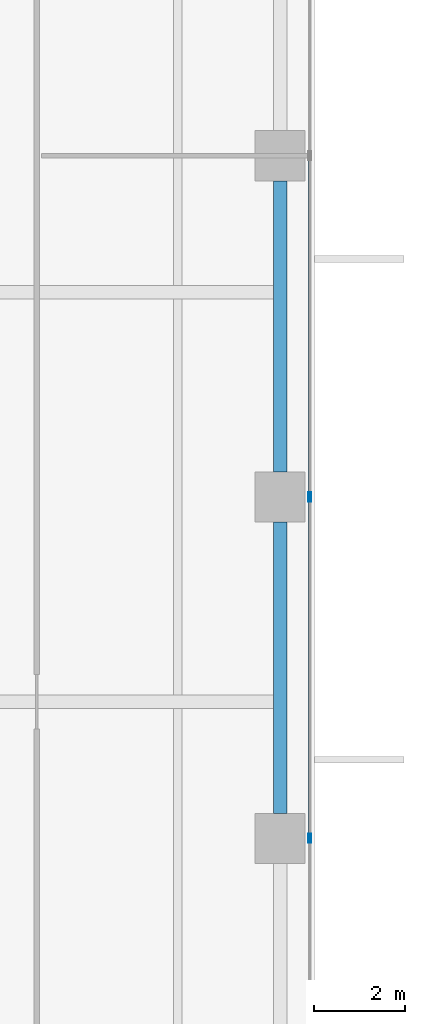
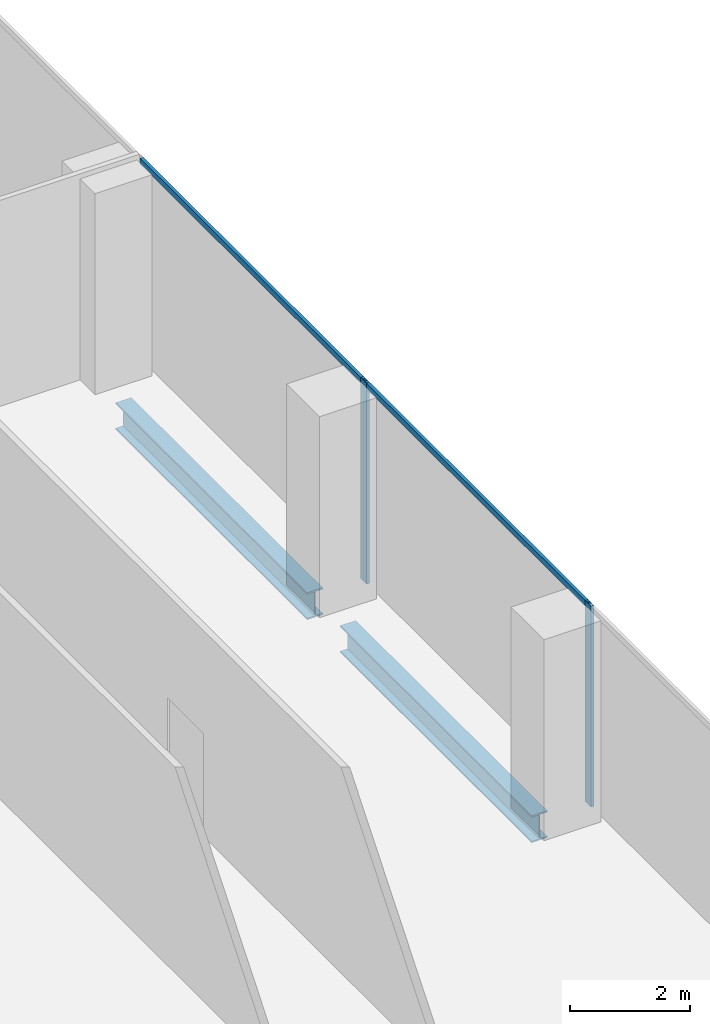
# One storey, part 13 of 34: 4 members, 2 beams, 1 element without a shape of its own.
"""IFC4 building model written with IfcOpenShell, lengths in metres."""

from ifc_helpers import new_model, si_unit, direction, frame, origin, origin_2d, place, context, subcontext, project, spatial, hollow_rectangle, i_section, extrude, source, transform, mapped, material, material_profile, profile_set, type_object, element, aggregate, save


model = new_model("IFC4")

# Units and contexts
model_context = context("Model", 3, precision=1e-05, world=origin(), true_north=direction((0.0, 1.0)))
body_context = subcontext(model_context, "Body", "Model", "MODEL_VIEW")
ifc_project = project(units=[si_unit("LENGTHUNIT", "METRE"), si_unit("AREAUNIT", "SQUARE_METRE"), si_unit("VOLUMEUNIT", "CUBIC_METRE"), si_unit("PLANEANGLEUNIT", "RADIAN"), si_unit("MASSUNIT", "GRAM", prefix="KILO")], contexts=[model_context])

# Site, building, storey
site_placement = place(None, origin())
site = spatial("IfcSite", under=ifc_project, at=site_placement, CompositionType="ELEMENT")
building_placement = place(site_placement, origin())
building = spatial("IfcBuilding", under=site, at=building_placement, Name="Khomas Fold Tower", CompositionType="ELEMENT")
storey_placement = place(building_placement, frame((0.0, 0.0, 123.5)))
storey = spatial("IfcBuildingStorey", under=building, at=storey_placement, Name="L26", CompositionType="ELEMENT", Elevation=123.5)

# Beams
ifc_material_1 = material(Name="Steel S355", Category="steel")
ifc_material_profile_1 = material_profile(ifc_material_1, i_section(OverallWidth=0.300048828125, OverallDepth=0.550048828125, WebThickness=0.014892578125, FlangeThickness=0.029052734375, at=origin_2d()), Name="HE 550 B")
ifc_profile_set_1 = profile_set([ifc_material_profile_1], Name="Steel S355")
beam_type = type_object("IfcBeamType", Name="HE 550 B spandrel SB2", PredefinedType="SPANDREL", material=ifc_profile_set_1)
shared_shape_1 = source(origin(), body_context, "Body", "SweptSolid", [
    extrude(i_section(OverallWidth=0.300048828125, OverallDepth=0.550048828125, WebThickness=0.014892578125, FlangeThickness=0.029052734375, at=origin_2d()), origin(), (0.0, 0.0, 1.0), 6.39990234375),
])
for number, where, z_axis, x_axis, name in (
    (1, (51.75, 20.050048828125, -0.574951171875), (0.0, 1.0, 0.0), (-1.0, 0.0, 0.0), "SB2"),
    (2, (51.75, 27.550048828125, -0.574951171875), (0.0, 1.0, 0.0), (-1.0, 0.0, 0.0), "SB2"),
):
    element("IfcBeam", number, at=place(storey_placement, frame(where, z_axis=z_axis, x_axis=x_axis)), inside=storey, type_object=beam_type, Name=name, PredefinedType="SPANDREL", context=body_context, shape_type="MappedRepresentation", body=[
        mapped(shared_shape_1, transform((0.0, 0.0, 0.0))),
    ])

# Curtain wall, members
ifc_material_2 = material(Name="Aluminium framed double glazing", Category="aluminium")
curtain_wall_type = type_object("IfcCurtainWallType", Name="SK-Unitised clear-glass wall, growing floors CW1", PredefinedType="NOTDEFINED", material=ifc_material_2)
curtain_wall_placement = place(storey_placement, origin())
curtain_wall = element("IfcCurtainWall", 3, at=curtain_wall_placement, inside=storey, type_object=curtain_wall_type, Name="CW1 run L26 03-0", PredefinedType="NOTDEFINED")
ifc_material_3 = material(Name="Aluminium", Category="aluminium")
ifc_material_profile_2 = material_profile(ifc_material_3, hollow_rectangle(XDim=0.06005859375, YDim=0.1201171875, WallThickness=0.00390625, at=origin_2d()), Name="SK-Unitised clear-glass wall, growing floors transom CW1-T")
ifc_profile_set_2 = profile_set([ifc_material_profile_2], Name="Aluminium")
member_type_1 = type_object("IfcMemberType", Name="SK-Unitised clear-glass wall, growing floors transom CW1-T", PredefinedType="USERDEFINED", material=ifc_profile_set_2)
shared_shape_2 = source(origin(), body_context, "Body", "SweptSolid", [
    extrude(hollow_rectangle(XDim=0.06005859375, YDim=0.1201171875, WallThickness=0.00390625, at=origin_2d()), origin(), (0.0, 0.0, 1.0), 7.43994140625),
])
member_1_placement = place(storey_placement, frame((52.39990234375, 19.530029296875, 4.0400390625), z_axis=(0.0, 1.0, 0.0), x_axis=(-1.0, 0.0, 0.0)))
member_1 = element("IfcMember", 4, at=member_1_placement, type_object=member_type_1, Name="CW1 transom 4", ObjectType="TRANSOM", PredefinedType="USERDEFINED", context=body_context, shape_type="MappedRepresentation", body=[
    mapped(shared_shape_2, transform((0.0, 0.0, 0.0))),
])
member_2_placement = place(storey_placement, frame((52.39990234375, 27.030029296875, 4.0400390625), z_axis=(0.0, 1.0, 0.0), x_axis=(-1.0, 0.0, 0.0)))
member_2 = element("IfcMember", 5, at=member_2_placement, type_object=member_type_1, Name="CW1 transom 5", ObjectType="TRANSOM", PredefinedType="USERDEFINED", context=body_context, shape_type="MappedRepresentation", body=[
    mapped(shared_shape_2, transform((0.0, 0.0, 0.0))),
])
ifc_material_4 = material(Name="Aluminium", Category="aluminium")
ifc_material_profile_3 = material_profile(ifc_material_4, hollow_rectangle(XDim=0.06005859375, YDim=0.199951171875, WallThickness=0.00390625, at=origin_2d()), Name="SK-Unitised clear-glass wall, growing floors mullion CW1-M")
ifc_profile_set_3 = profile_set([ifc_material_profile_3], Name="Aluminium")
member_type_2 = type_object("IfcMemberType", Name="SK-Unitised clear-glass wall, growing floors mullion CW1-M", PredefinedType="MULLION", material=ifc_profile_set_3)
shared_shape_3 = source(origin(), body_context, "Body", "SweptSolid", [
    extrude(hollow_rectangle(XDim=0.06005859375, YDim=0.199951171875, WallThickness=0.00390625, at=origin_2d()), origin(), (0.0, 0.0, 1.0), 4.10009765625),
])
member_3_placement = place(storey_placement, frame((52.39990234375, 19.5, 0.0), z_axis=(0.0, 0.0, 1.0), x_axis=(-1.0, 0.0, 0.0)))
member_3 = element("IfcMember", 6, at=member_3_placement, type_object=member_type_2, Name="CW1 mullion 4", PredefinedType="MULLION", context=body_context, shape_type="MappedRepresentation", body=[
    mapped(shared_shape_3, transform((0.0, 0.0, 0.0))),
])
member_4_placement = place(storey_placement, frame((52.39990234375, 27.0, 0.0), z_axis=(0.0, 0.0, 1.0), x_axis=(-1.0, 0.0, 0.0)))
member_4 = element("IfcMember", 7, at=member_4_placement, type_object=member_type_2, Name="CW1 mullion 5", PredefinedType="MULLION", context=body_context, shape_type="MappedRepresentation", body=[
    mapped(shared_shape_3, transform((0.0, 0.0, 0.0))),
])
aggregate(curtain_wall, [member_3, member_4, member_1, member_2])

save(model, "model.ifc")
